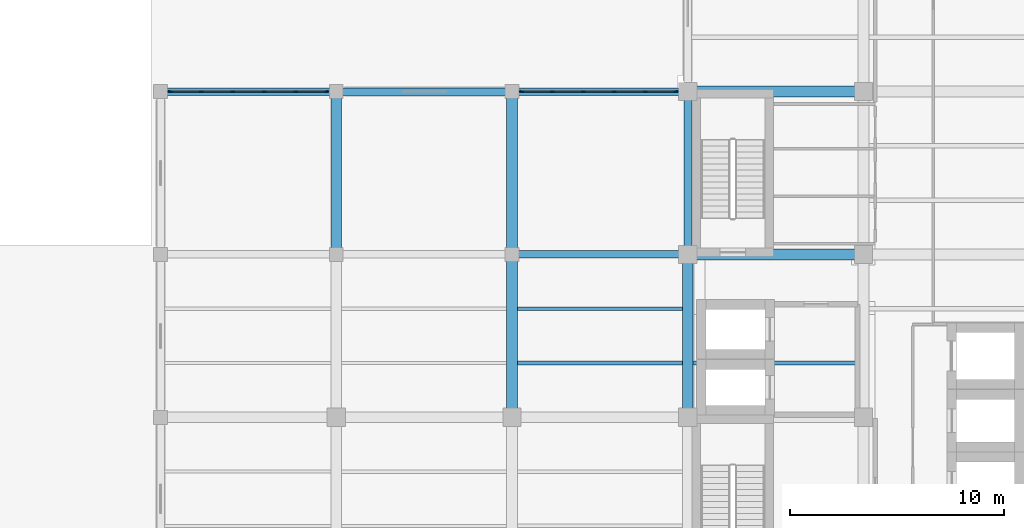
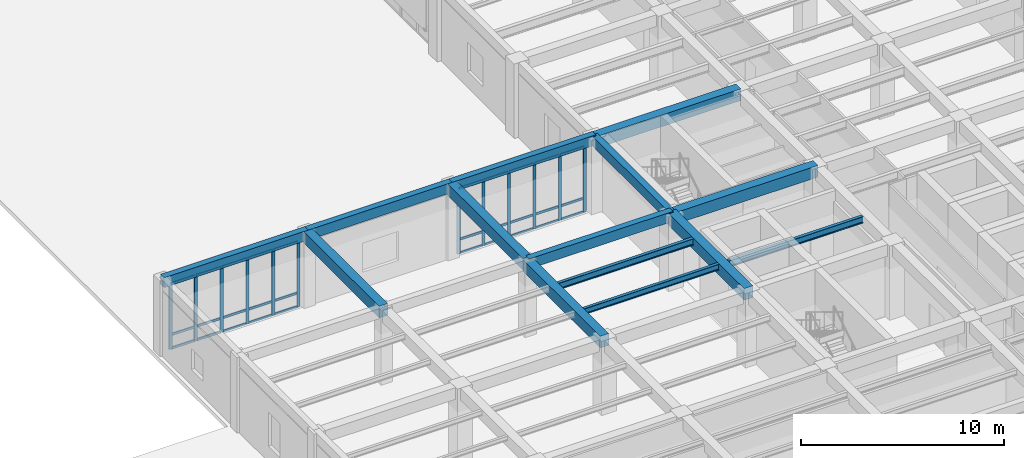
# One storey, part 4 of 23: 42 members, 14 beams, 2 elements without a shape of their own.
"""IFC4 building model written with IfcOpenShell, lengths in metres."""

from ifc_helpers import new_model, si_unit, direction, frame, origin, origin_2d, place, context, subcontext, project, spatial, rectangle, i_section, extrude, material, material_profile, profile_set, type_object, element, aggregate, save


model = new_model("IFC4")

# Units and contexts
model_context = context("Model", 3, precision=1e-05, world=origin(), true_north=direction((0.0, 1.0)))
body_context = subcontext(model_context, "Body", "Model", "MODEL_VIEW")
ifc_project = project(units=[si_unit("LENGTHUNIT", "METRE"), si_unit("AREAUNIT", "SQUARE_METRE"), si_unit("VOLUMEUNIT", "CUBIC_METRE"), si_unit("PLANEANGLEUNIT", "RADIAN"), si_unit("MASSUNIT", "GRAM", prefix="KILO")], contexts=[model_context])

# Site, building, storey
site_placement = place(None, origin())
site = spatial("IfcSite", under=ifc_project, at=site_placement, CompositionType="ELEMENT")
building_placement = place(site_placement, origin())
building = spatial("IfcBuilding", under=site, at=building_placement, Name="Qandaris Square Conservatory and Botanical Centre", CompositionType="ELEMENT")
storey_placement = place(building_placement, frame((0.0, 0.0, 15.0)))
storey = spatial("IfcBuildingStorey", under=building, at=storey_placement, Name="L03", CompositionType="ELEMENT", Elevation=15.0)

# Beams
ifc_material_1 = material(Name="Steel S355", Category="steel")
ifc_material_profile_1 = material_profile(ifc_material_1, i_section(OverallWidth=0.169921875, OverallDepth=0.360107421875, WebThickness=0.008056640625, FlangeThickness=0.0126953125, FilletRadius=0.01806640625, at=origin_2d()), Name="IPE 360")
ifc_profile_set_1 = profile_set([ifc_material_profile_1], Name="Steel S355")
beam_type_1 = type_object("IfcBeamType", Name="Composite Lab Joist IPE 360", PredefinedType="JOIST", material=ifc_profile_set_1)
beam_1_placement = place(storey_placement, frame((131.25, 34.333251953125, 4.2900390625), z_axis=(1.0, 0.0, 0.0), x_axis=(0.0, 1.0, 0.0)))
element("IfcBeam", 1, at=beam_1_placement, inside=storey, type_object=beam_type_1, Name="L03 Composite Joist 1649", PredefinedType="JOIST", context=body_context, shape_type="SweptSolid", body=[
    extrude(i_section(OverallWidth=0.169921875, OverallDepth=0.360107421875, WebThickness=0.008056640625, FlangeThickness=0.0126953125, FilletRadius=0.01806640625, at=origin_2d()), origin(), (0.0, 0.0, 1.0), 7.699951171875),
])
ifc_material_profile_2 = material_profile(ifc_material_1, i_section(OverallWidth=0.179931640625, OverallDepth=0.39990234375, WebThickness=0.008544921875, FlangeThickness=0.013427734375, FilletRadius=0.02099609375, at=origin_2d()), Name="IPE 400")
ifc_profile_set_2 = profile_set([ifc_material_profile_2], Name="Steel S355")
beam_type_2 = type_object("IfcBeamType", Name="Composite Plinth Joist IPE 400", PredefinedType="JOIST", material=ifc_profile_set_2)
for number, where, z_axis, x_axis, name in (
    (2, (131.25, 36.86669921875, 4.27001953125), (1.0, 0.0, 0.0), (0.0, 1.0, 0.0), "L03 Composite Joist 1650"),
    (3, (139.449951171875, 34.333251953125, 4.27001953125), (1.0, 0.0, 0.0), (0.0, 1.0, 0.0), "L03 Composite Joist 1653"),
):
    element("IfcBeam", number, at=place(storey_placement, frame(where, z_axis=z_axis, x_axis=x_axis)), inside=storey, type_object=beam_type_2, Name=name, PredefinedType="JOIST", context=body_context, shape_type="SweptSolid", body=[
        extrude(i_section(OverallWidth=0.179931640625, OverallDepth=0.39990234375, WebThickness=0.008544921875, FlangeThickness=0.013427734375, FilletRadius=0.02099609375, at=origin_2d()), origin(), (0.0, 0.0, 1.0), 7.699951171875),
    ])

# Curtain wall, members
ifc_material_2 = material(Name="Anodised Aluminium", Category="aluminium")
curtain_wall_type_1 = type_object("IfcCurtainWallType", Name="Unitised Curtain Wall CW-4-725x394", PredefinedType="USERDEFINED", material=ifc_material_2)
curtain_wall_1_placement = place(storey_placement, origin())
curtain_wall_1 = element("IfcCurtainWall", 4, at=curtain_wall_1_placement, inside=storey, type_object=curtain_wall_type_1, Name="Curtain Wall CW-TWR-L03-5-1", ObjectType="GLAZED CURTAIN WALL", PredefinedType="USERDEFINED")
ifc_material_profile_3 = material_profile(ifc_material_2, rectangle(XDim=0.06494140625, YDim=0.179931640625, at=origin_2d()), Name="ALU-MUL 65x180")
ifc_profile_set_3 = profile_set([ifc_material_profile_3], Name="Anodised Aluminium")
member_type_1 = type_object("IfcMemberType", Name="Curtain Wall Mullion 65x180", PredefinedType="MULLION", material=ifc_profile_set_3)
member_1_placement = place(storey_placement, frame((138.642578125, 47.0, 0.0), z_axis=(0.0, 0.0, 1.0), x_axis=(0.0, -1.0, 0.0)))
member_1 = element("IfcMember", 5, at=member_1_placement, type_object=member_type_1, Name="CW-4-725x394 mullion 1", PredefinedType="MULLION", context=body_context, shape_type="SweptSolid", body=[
    extrude(rectangle(XDim=0.06494140625, YDim=0.179931640625, at=origin_2d()), origin(), (0.0, 0.0, 1.0), 3.945068359375),
])
member_2_placement = place(storey_placement, frame((137.22509765625, 47.0, 0.0), z_axis=(0.0, 0.0, 1.0), x_axis=(0.0, -1.0, 0.0)))
member_2 = element("IfcMember", 6, at=member_2_placement, type_object=member_type_1, Name="CW-4-725x394 mullion 2", PredefinedType="MULLION", context=body_context, shape_type="SweptSolid", body=[
    extrude(rectangle(XDim=0.06494140625, YDim=0.179931640625, at=origin_2d()), origin(), (0.0, 0.0, 1.0), 3.945068359375),
])
member_3_placement = place(storey_placement, frame((135.77490234375, 47.0, 0.0), z_axis=(0.0, 0.0, 1.0), x_axis=(0.0, -1.0, 0.0)))
member_3 = element("IfcMember", 7, at=member_3_placement, type_object=member_type_1, Name="CW-4-725x394 mullion 3", PredefinedType="MULLION", context=body_context, shape_type="SweptSolid", body=[
    extrude(rectangle(XDim=0.06494140625, YDim=0.179931640625, at=origin_2d()), origin(), (0.0, 0.0, 1.0), 3.945068359375),
])
member_4_placement = place(storey_placement, frame((134.324951171875, 47.0, 0.0), z_axis=(0.0, 0.0, 1.0), x_axis=(0.0, -1.0, 0.0)))
member_4 = element("IfcMember", 8, at=member_4_placement, type_object=member_type_1, Name="CW-4-725x394 mullion 4", PredefinedType="MULLION", context=body_context, shape_type="SweptSolid", body=[
    extrude(rectangle(XDim=0.06494140625, YDim=0.179931640625, at=origin_2d()), origin(), (0.0, 0.0, 1.0), 3.945068359375),
])
member_5_placement = place(storey_placement, frame((132.875, 47.0, 0.0), z_axis=(0.0, 0.0, 1.0), x_axis=(0.0, -1.0, 0.0)))
member_5 = element("IfcMember", 9, at=member_5_placement, type_object=member_type_1, Name="CW-4-725x394 mullion 5", PredefinedType="MULLION", context=body_context, shape_type="SweptSolid", body=[
    extrude(rectangle(XDim=0.06494140625, YDim=0.179931640625, at=origin_2d()), origin(), (0.0, 0.0, 1.0), 3.945068359375),
])
member_6_placement = place(storey_placement, frame((131.45751953125, 47.0, 0.0), z_axis=(0.0, 0.0, 1.0), x_axis=(0.0, -1.0, 0.0)))
member_6 = element("IfcMember", 10, at=member_6_placement, type_object=member_type_1, Name="CW-4-725x394 mullion 6", PredefinedType="MULLION", context=body_context, shape_type="SweptSolid", body=[
    extrude(rectangle(XDim=0.06494140625, YDim=0.179931640625, at=origin_2d()), origin(), (0.0, 0.0, 1.0), 3.945068359375),
])

curtain_wall_type_2 = type_object("IfcCurtainWallType", Name="Unitised Curtain Wall CW-4-735x394", PredefinedType="USERDEFINED", material=ifc_material_2)
curtain_wall_2_placement = place(storey_placement, origin())
curtain_wall_2 = element("IfcCurtainWall", 11, at=curtain_wall_2_placement, inside=storey, type_object=curtain_wall_type_2, Name="Curtain Wall CW-TWR-L03-5-3", ObjectType="GLAZED CURTAIN WALL", PredefinedType="USERDEFINED")
member_7_placement = place(storey_placement, frame((122.342529296875, 47.0, 0.0), z_axis=(0.0, 0.0, 1.0), x_axis=(0.0, -1.0, 0.0)))
member_7 = element("IfcMember", 12, at=member_7_placement, type_object=member_type_1, Name="CW-4-735x394 mullion 1", PredefinedType="MULLION", context=body_context, shape_type="SweptSolid", body=[
    extrude(rectangle(XDim=0.06494140625, YDim=0.179931640625, at=origin_2d()), origin(), (0.0, 0.0, 1.0), 3.945068359375),
])
member_8_placement = place(storey_placement, frame((120.905029296875, 47.0, 0.0), z_axis=(0.0, 0.0, 1.0), x_axis=(0.0, -1.0, 0.0)))
member_8 = element("IfcMember", 13, at=member_8_placement, type_object=member_type_1, Name="CW-4-735x394 mullion 2", PredefinedType="MULLION", context=body_context, shape_type="SweptSolid", body=[
    extrude(rectangle(XDim=0.06494140625, YDim=0.179931640625, at=origin_2d()), origin(), (0.0, 0.0, 1.0), 3.945068359375),
])
member_9_placement = place(storey_placement, frame((119.43505859375, 47.0, 0.0), z_axis=(0.0, 0.0, 1.0), x_axis=(0.0, -1.0, 0.0)))
member_9 = element("IfcMember", 14, at=member_9_placement, type_object=member_type_1, Name="CW-4-735x394 mullion 3", PredefinedType="MULLION", context=body_context, shape_type="SweptSolid", body=[
    extrude(rectangle(XDim=0.06494140625, YDim=0.179931640625, at=origin_2d()), origin(), (0.0, 0.0, 1.0), 3.945068359375),
])
member_10_placement = place(storey_placement, frame((117.965087890625, 47.0, 0.0), z_axis=(0.0, 0.0, 1.0), x_axis=(0.0, -1.0, 0.0)))
member_10 = element("IfcMember", 15, at=member_10_placement, type_object=member_type_1, Name="CW-4-735x394 mullion 4", PredefinedType="MULLION", context=body_context, shape_type="SweptSolid", body=[
    extrude(rectangle(XDim=0.06494140625, YDim=0.179931640625, at=origin_2d()), origin(), (0.0, 0.0, 1.0), 3.945068359375),
])
member_11_placement = place(storey_placement, frame((116.4951171875, 47.0, 0.0), z_axis=(0.0, 0.0, 1.0), x_axis=(0.0, -1.0, 0.0)))
member_11 = element("IfcMember", 16, at=member_11_placement, type_object=member_type_1, Name="CW-4-735x394 mullion 5", PredefinedType="MULLION", context=body_context, shape_type="SweptSolid", body=[
    extrude(rectangle(XDim=0.06494140625, YDim=0.179931640625, at=origin_2d()), origin(), (0.0, 0.0, 1.0), 3.945068359375),
])
member_12_placement = place(storey_placement, frame((115.0576171875, 47.0, 0.0), z_axis=(0.0, 0.0, 1.0), x_axis=(0.0, -1.0, 0.0)))
member_12 = element("IfcMember", 17, at=member_12_placement, type_object=member_type_1, Name="CW-4-735x394 mullion 6", PredefinedType="MULLION", context=body_context, shape_type="SweptSolid", body=[
    extrude(rectangle(XDim=0.06494140625, YDim=0.179931640625, at=origin_2d()), origin(), (0.0, 0.0, 1.0), 3.945068359375),
])

# Member
ifc_material_profile_4 = material_profile(ifc_material_2, rectangle(XDim=0.06494140625, YDim=0.139892578125, at=origin_2d()), Name="ALU-TRN 65x140")
ifc_profile_set_4 = profile_set([ifc_material_profile_4], Name="Anodised Aluminium")
member_type_2 = type_object("IfcMemberType", Name="Curtain Wall Transom 65x140", PredefinedType="USERDEFINED", material=ifc_profile_set_4)
member_13_placement = place(storey_placement, frame((138.610107421875, 47.0, 0.032470703125), z_axis=(-1.0, 0.0, 0.0), x_axis=(0.0, -1.0, 0.0)))
member_13 = element("IfcMember", 18, at=member_13_placement, type_object=member_type_2, Name="CW-4-725x394 transom 1.1", ObjectType="TRANSOM", PredefinedType="USERDEFINED", context=body_context, shape_type="SweptSolid", body=[
    extrude(rectangle(XDim=0.06494140625, YDim=0.139892578125, at=origin_2d()), origin(), (0.0, 0.0, 1.0), 1.3525390625),
])

member_14_placement = place(storey_placement, frame((138.610107421875, 47.0, 0.85009765625), z_axis=(-1.0, 0.0, 0.0), x_axis=(0.0, -1.0, 0.0)))
member_14 = element("IfcMember", 19, at=member_14_placement, type_object=member_type_2, Name="CW-4-725x394 transom 1.2", ObjectType="TRANSOM", PredefinedType="USERDEFINED", context=body_context, shape_type="SweptSolid", body=[
    extrude(rectangle(XDim=0.06494140625, YDim=0.139892578125, at=origin_2d()), origin(), (0.0, 0.0, 1.0), 1.3525390625),
])

member_15_placement = place(storey_placement, frame((138.610107421875, 47.0, 3.91259765625), z_axis=(-1.0, 0.0, 0.0), x_axis=(0.0, -1.0, 0.0)))
member_15 = element("IfcMember", 20, at=member_15_placement, type_object=member_type_2, Name="CW-4-725x394 transom 1.3", ObjectType="TRANSOM", PredefinedType="USERDEFINED", context=body_context, shape_type="SweptSolid", body=[
    extrude(rectangle(XDim=0.06494140625, YDim=0.139892578125, at=origin_2d()), origin(), (0.0, 0.0, 1.0), 1.3525390625),
])

member_16_placement = place(storey_placement, frame((137.1923828125, 47.0, 0.032470703125), z_axis=(-1.0, 0.0, 0.0), x_axis=(0.0, -1.0, 0.0)))
member_16 = element("IfcMember", 21, at=member_16_placement, type_object=member_type_2, Name="CW-4-725x394 transom 2.1", ObjectType="TRANSOM", PredefinedType="USERDEFINED", context=body_context, shape_type="SweptSolid", body=[
    extrude(rectangle(XDim=0.06494140625, YDim=0.139892578125, at=origin_2d()), origin(), (0.0, 0.0, 1.0), 1.384765625),
])

member_17_placement = place(storey_placement, frame((137.1923828125, 47.0, 0.85009765625), z_axis=(-1.0, 0.0, 0.0), x_axis=(0.0, -1.0, 0.0)))
member_17 = element("IfcMember", 22, at=member_17_placement, type_object=member_type_2, Name="CW-4-725x394 transom 2.2", ObjectType="TRANSOM", PredefinedType="USERDEFINED", context=body_context, shape_type="SweptSolid", body=[
    extrude(rectangle(XDim=0.06494140625, YDim=0.139892578125, at=origin_2d()), origin(), (0.0, 0.0, 1.0), 1.384765625),
])

member_18_placement = place(storey_placement, frame((137.1923828125, 47.0, 3.91259765625), z_axis=(-1.0, 0.0, 0.0), x_axis=(0.0, -1.0, 0.0)))
member_18 = element("IfcMember", 23, at=member_18_placement, type_object=member_type_2, Name="CW-4-725x394 transom 2.3", ObjectType="TRANSOM", PredefinedType="USERDEFINED", context=body_context, shape_type="SweptSolid", body=[
    extrude(rectangle(XDim=0.06494140625, YDim=0.139892578125, at=origin_2d()), origin(), (0.0, 0.0, 1.0), 1.384765625),
])

member_19_placement = place(storey_placement, frame((135.742431640625, 47.0, 0.032470703125), z_axis=(-1.0, 0.0, 0.0), x_axis=(0.0, -1.0, 0.0)))
member_19 = element("IfcMember", 24, at=member_19_placement, type_object=member_type_2, Name="CW-4-725x394 transom 3.1", ObjectType="TRANSOM", PredefinedType="USERDEFINED", context=body_context, shape_type="SweptSolid", body=[
    extrude(rectangle(XDim=0.06494140625, YDim=0.139892578125, at=origin_2d()), origin(), (0.0, 0.0, 1.0), 1.385009765625),
])

member_20_placement = place(storey_placement, frame((135.742431640625, 47.0, 0.85009765625), z_axis=(-1.0, 0.0, 0.0), x_axis=(0.0, -1.0, 0.0)))
member_20 = element("IfcMember", 25, at=member_20_placement, type_object=member_type_2, Name="CW-4-725x394 transom 3.2", ObjectType="TRANSOM", PredefinedType="USERDEFINED", context=body_context, shape_type="SweptSolid", body=[
    extrude(rectangle(XDim=0.06494140625, YDim=0.139892578125, at=origin_2d()), origin(), (0.0, 0.0, 1.0), 1.385009765625),
])

member_21_placement = place(storey_placement, frame((135.742431640625, 47.0, 3.91259765625), z_axis=(-1.0, 0.0, 0.0), x_axis=(0.0, -1.0, 0.0)))
member_21 = element("IfcMember", 26, at=member_21_placement, type_object=member_type_2, Name="CW-4-725x394 transom 3.3", ObjectType="TRANSOM", PredefinedType="USERDEFINED", context=body_context, shape_type="SweptSolid", body=[
    extrude(rectangle(XDim=0.06494140625, YDim=0.139892578125, at=origin_2d()), origin(), (0.0, 0.0, 1.0), 1.385009765625),
])

member_22_placement = place(storey_placement, frame((134.29248046875, 47.0, 0.032470703125), z_axis=(-1.0, 0.0, 0.0), x_axis=(0.0, -1.0, 0.0)))
member_22 = element("IfcMember", 27, at=member_22_placement, type_object=member_type_2, Name="CW-4-725x394 transom 4.1", ObjectType="TRANSOM", PredefinedType="USERDEFINED", context=body_context, shape_type="SweptSolid", body=[
    extrude(rectangle(XDim=0.06494140625, YDim=0.139892578125, at=origin_2d()), origin(), (0.0, 0.0, 1.0), 1.385009765625),
])

member_23_placement = place(storey_placement, frame((134.29248046875, 47.0, 0.85009765625), z_axis=(-1.0, 0.0, 0.0), x_axis=(0.0, -1.0, 0.0)))
member_23 = element("IfcMember", 28, at=member_23_placement, type_object=member_type_2, Name="CW-4-725x394 transom 4.2", ObjectType="TRANSOM", PredefinedType="USERDEFINED", context=body_context, shape_type="SweptSolid", body=[
    extrude(rectangle(XDim=0.06494140625, YDim=0.139892578125, at=origin_2d()), origin(), (0.0, 0.0, 1.0), 1.385009765625),
])

member_24_placement = place(storey_placement, frame((134.29248046875, 47.0, 3.91259765625), z_axis=(-1.0, 0.0, 0.0), x_axis=(0.0, -1.0, 0.0)))
member_24 = element("IfcMember", 29, at=member_24_placement, type_object=member_type_2, Name="CW-4-725x394 transom 4.3", ObjectType="TRANSOM", PredefinedType="USERDEFINED", context=body_context, shape_type="SweptSolid", body=[
    extrude(rectangle(XDim=0.06494140625, YDim=0.139892578125, at=origin_2d()), origin(), (0.0, 0.0, 1.0), 1.385009765625),
])

member_25_placement = place(storey_placement, frame((132.842529296875, 47.0, 0.032470703125), z_axis=(-1.0, 0.0, 0.0), x_axis=(0.0, -1.0, 0.0)))
member_25 = element("IfcMember", 30, at=member_25_placement, type_object=member_type_2, Name="CW-4-725x394 transom 5.1", ObjectType="TRANSOM", PredefinedType="USERDEFINED", context=body_context, shape_type="SweptSolid", body=[
    extrude(rectangle(XDim=0.06494140625, YDim=0.139892578125, at=origin_2d()), origin(), (0.0, 0.0, 1.0), 1.3525390625),
])

member_26_placement = place(storey_placement, frame((132.842529296875, 47.0, 0.85009765625), z_axis=(-1.0, 0.0, 0.0), x_axis=(0.0, -1.0, 0.0)))
member_26 = element("IfcMember", 31, at=member_26_placement, type_object=member_type_2, Name="CW-4-725x394 transom 5.2", ObjectType="TRANSOM", PredefinedType="USERDEFINED", context=body_context, shape_type="SweptSolid", body=[
    extrude(rectangle(XDim=0.06494140625, YDim=0.139892578125, at=origin_2d()), origin(), (0.0, 0.0, 1.0), 1.3525390625),
])

member_27_placement = place(storey_placement, frame((132.842529296875, 47.0, 3.91259765625), z_axis=(-1.0, 0.0, 0.0), x_axis=(0.0, -1.0, 0.0)))
member_27 = element("IfcMember", 32, at=member_27_placement, type_object=member_type_2, Name="CW-4-725x394 transom 5.3", ObjectType="TRANSOM", PredefinedType="USERDEFINED", context=body_context, shape_type="SweptSolid", body=[
    extrude(rectangle(XDim=0.06494140625, YDim=0.139892578125, at=origin_2d()), origin(), (0.0, 0.0, 1.0), 1.3525390625),
])

aggregate(curtain_wall_1, [member_1, member_2, member_3, member_4, member_5, member_6, member_13, member_14, member_15, member_16, member_17, member_18, member_19, member_20, member_21, member_22, member_23, member_24, member_25, member_26, member_27])

member_28_placement = place(storey_placement, frame((122.31005859375, 47.0, 0.032470703125), z_axis=(-1.0, 0.0, 0.0), x_axis=(0.0, -1.0, 0.0)))
member_28 = element("IfcMember", 33, at=member_28_placement, type_object=member_type_2, Name="CW-4-735x394 transom 1.1", ObjectType="TRANSOM", PredefinedType="USERDEFINED", context=body_context, shape_type="SweptSolid", body=[
    extrude(rectangle(XDim=0.06494140625, YDim=0.139892578125, at=origin_2d()), origin(), (0.0, 0.0, 1.0), 1.37255859375),
])

member_29_placement = place(storey_placement, frame((122.31005859375, 47.0, 0.85009765625), z_axis=(-1.0, 0.0, 0.0), x_axis=(0.0, -1.0, 0.0)))
member_29 = element("IfcMember", 34, at=member_29_placement, type_object=member_type_2, Name="CW-4-735x394 transom 1.2", ObjectType="TRANSOM", PredefinedType="USERDEFINED", context=body_context, shape_type="SweptSolid", body=[
    extrude(rectangle(XDim=0.06494140625, YDim=0.139892578125, at=origin_2d()), origin(), (0.0, 0.0, 1.0), 1.37255859375),
])

member_30_placement = place(storey_placement, frame((122.31005859375, 47.0, 3.91259765625), z_axis=(-1.0, 0.0, 0.0), x_axis=(0.0, -1.0, 0.0)))
member_30 = element("IfcMember", 35, at=member_30_placement, type_object=member_type_2, Name="CW-4-735x394 transom 1.3", ObjectType="TRANSOM", PredefinedType="USERDEFINED", context=body_context, shape_type="SweptSolid", body=[
    extrude(rectangle(XDim=0.06494140625, YDim=0.139892578125, at=origin_2d()), origin(), (0.0, 0.0, 1.0), 1.37255859375),
])

member_31_placement = place(storey_placement, frame((120.87255859375, 47.0, 0.032470703125), z_axis=(-1.0, 0.0, 0.0), x_axis=(0.0, -1.0, 0.0)))
member_31 = element("IfcMember", 36, at=member_31_placement, type_object=member_type_2, Name="CW-4-735x394 transom 2.1", ObjectType="TRANSOM", PredefinedType="USERDEFINED", context=body_context, shape_type="SweptSolid", body=[
    extrude(rectangle(XDim=0.06494140625, YDim=0.139892578125, at=origin_2d()), origin(), (0.0, 0.0, 1.0), 1.405029296875),
])

member_32_placement = place(storey_placement, frame((120.87255859375, 47.0, 0.85009765625), z_axis=(-1.0, 0.0, 0.0), x_axis=(0.0, -1.0, 0.0)))
member_32 = element("IfcMember", 37, at=member_32_placement, type_object=member_type_2, Name="CW-4-735x394 transom 2.2", ObjectType="TRANSOM", PredefinedType="USERDEFINED", context=body_context, shape_type="SweptSolid", body=[
    extrude(rectangle(XDim=0.06494140625, YDim=0.139892578125, at=origin_2d()), origin(), (0.0, 0.0, 1.0), 1.405029296875),
])

member_33_placement = place(storey_placement, frame((120.87255859375, 47.0, 3.91259765625), z_axis=(-1.0, 0.0, 0.0), x_axis=(0.0, -1.0, 0.0)))
member_33 = element("IfcMember", 38, at=member_33_placement, type_object=member_type_2, Name="CW-4-735x394 transom 2.3", ObjectType="TRANSOM", PredefinedType="USERDEFINED", context=body_context, shape_type="SweptSolid", body=[
    extrude(rectangle(XDim=0.06494140625, YDim=0.139892578125, at=origin_2d()), origin(), (0.0, 0.0, 1.0), 1.405029296875),
])

member_34_placement = place(storey_placement, frame((119.402587890625, 47.0, 0.032470703125), z_axis=(-1.0, 0.0, 0.0), x_axis=(0.0, -1.0, 0.0)))
member_34 = element("IfcMember", 39, at=member_34_placement, type_object=member_type_2, Name="CW-4-735x394 transom 3.1", ObjectType="TRANSOM", PredefinedType="USERDEFINED", context=body_context, shape_type="SweptSolid", body=[
    extrude(rectangle(XDim=0.06494140625, YDim=0.139892578125, at=origin_2d()), origin(), (0.0, 0.0, 1.0), 1.405029296875),
])

member_35_placement = place(storey_placement, frame((119.402587890625, 47.0, 0.85009765625), z_axis=(-1.0, 0.0, 0.0), x_axis=(0.0, -1.0, 0.0)))
member_35 = element("IfcMember", 40, at=member_35_placement, type_object=member_type_2, Name="CW-4-735x394 transom 3.2", ObjectType="TRANSOM", PredefinedType="USERDEFINED", context=body_context, shape_type="SweptSolid", body=[
    extrude(rectangle(XDim=0.06494140625, YDim=0.139892578125, at=origin_2d()), origin(), (0.0, 0.0, 1.0), 1.405029296875),
])

member_36_placement = place(storey_placement, frame((119.402587890625, 47.0, 3.91259765625), z_axis=(-1.0, 0.0, 0.0), x_axis=(0.0, -1.0, 0.0)))
member_36 = element("IfcMember", 41, at=member_36_placement, type_object=member_type_2, Name="CW-4-735x394 transom 3.3", ObjectType="TRANSOM", PredefinedType="USERDEFINED", context=body_context, shape_type="SweptSolid", body=[
    extrude(rectangle(XDim=0.06494140625, YDim=0.139892578125, at=origin_2d()), origin(), (0.0, 0.0, 1.0), 1.405029296875),
])

member_37_placement = place(storey_placement, frame((117.9326171875, 47.0, 0.032470703125), z_axis=(-1.0, 0.0, 0.0), x_axis=(0.0, -1.0, 0.0)))
member_37 = element("IfcMember", 42, at=member_37_placement, type_object=member_type_2, Name="CW-4-735x394 transom 4.1", ObjectType="TRANSOM", PredefinedType="USERDEFINED", context=body_context, shape_type="SweptSolid", body=[
    extrude(rectangle(XDim=0.06494140625, YDim=0.139892578125, at=origin_2d()), origin(), (0.0, 0.0, 1.0), 1.405029296875),
])

member_38_placement = place(storey_placement, frame((117.9326171875, 47.0, 0.85009765625), z_axis=(-1.0, 0.0, 0.0), x_axis=(0.0, -1.0, 0.0)))
member_38 = element("IfcMember", 43, at=member_38_placement, type_object=member_type_2, Name="CW-4-735x394 transom 4.2", ObjectType="TRANSOM", PredefinedType="USERDEFINED", context=body_context, shape_type="SweptSolid", body=[
    extrude(rectangle(XDim=0.06494140625, YDim=0.139892578125, at=origin_2d()), origin(), (0.0, 0.0, 1.0), 1.405029296875),
])

member_39_placement = place(storey_placement, frame((117.9326171875, 47.0, 3.91259765625), z_axis=(-1.0, 0.0, 0.0), x_axis=(0.0, -1.0, 0.0)))
member_39 = element("IfcMember", 44, at=member_39_placement, type_object=member_type_2, Name="CW-4-735x394 transom 4.3", ObjectType="TRANSOM", PredefinedType="USERDEFINED", context=body_context, shape_type="SweptSolid", body=[
    extrude(rectangle(XDim=0.06494140625, YDim=0.139892578125, at=origin_2d()), origin(), (0.0, 0.0, 1.0), 1.405029296875),
])

member_40_placement = place(storey_placement, frame((116.46240234375, 47.0, 0.032470703125), z_axis=(-1.0, 0.0, 0.0), x_axis=(0.0, -1.0, 0.0)))
member_40 = element("IfcMember", 45, at=member_40_placement, type_object=member_type_2, Name="CW-4-735x394 transom 5.1", ObjectType="TRANSOM", PredefinedType="USERDEFINED", context=body_context, shape_type="SweptSolid", body=[
    extrude(rectangle(XDim=0.06494140625, YDim=0.139892578125, at=origin_2d()), origin(), (0.0, 0.0, 1.0), 1.372314453125),
])

member_41_placement = place(storey_placement, frame((116.46240234375, 47.0, 0.85009765625), z_axis=(-1.0, 0.0, 0.0), x_axis=(0.0, -1.0, 0.0)))
member_41 = element("IfcMember", 46, at=member_41_placement, type_object=member_type_2, Name="CW-4-735x394 transom 5.2", ObjectType="TRANSOM", PredefinedType="USERDEFINED", context=body_context, shape_type="SweptSolid", body=[
    extrude(rectangle(XDim=0.06494140625, YDim=0.139892578125, at=origin_2d()), origin(), (0.0, 0.0, 1.0), 1.372314453125),
])

member_42_placement = place(storey_placement, frame((116.46240234375, 47.0, 3.91259765625), z_axis=(-1.0, 0.0, 0.0), x_axis=(0.0, -1.0, 0.0)))
member_42 = element("IfcMember", 47, at=member_42_placement, type_object=member_type_2, Name="CW-4-735x394 transom 5.3", ObjectType="TRANSOM", PredefinedType="USERDEFINED", context=body_context, shape_type="SweptSolid", body=[
    extrude(rectangle(XDim=0.06494140625, YDim=0.139892578125, at=origin_2d()), origin(), (0.0, 0.0, 1.0), 1.372314453125),
])

aggregate(curtain_wall_2, [member_7, member_8, member_9, member_10, member_11, member_12, member_28, member_29, member_30, member_31, member_32, member_33, member_34, member_35, member_36, member_37, member_38, member_39, member_40, member_41, member_42])

# Beams
ifc_material_3 = material(Name="Concrete C50/60", Category="concrete")
ifc_material_profile_5 = material_profile(ifc_material_3, rectangle(XDim=0.35009765625, YDim=0.60009765625, at=origin_2d()), Name="RC-SP 350x600")
ifc_profile_set_5 = profile_set([ifc_material_profile_5], Name="Concrete C50/60")
beam_type_3 = type_object("IfcBeamType", Name="RC Edge Spandrel Beam 350x600", PredefinedType="SPANDREL", material=ifc_profile_set_5)
for number, where, z_axis, x_axis, name in (
    (48, (131.0, 39.39990234375, 4.2451171875), (1.0, 0.0, 0.0), (0.0, 1.0, 0.0), "L03 Frame Beam 1554"),
    (49, (114.60009765625, 47.0, 4.2451171875), (1.0, 0.0, 0.0), (0.0, 1.0, 0.0), "L03 Frame Beam 1558"),
    (50, (122.800048828125, 47.0, 4.2451171875), (1.0, 0.0, 0.0), (0.0, 1.0, 0.0), "L03 Frame Beam 1559"),
    (51, (131.0, 47.0, 4.2451171875), (1.0, 0.0, 0.0), (0.0, 1.0, 0.0), "L03 Frame Beam 1560"),
):
    element("IfcBeam", number, at=place(storey_placement, frame(where, z_axis=z_axis, x_axis=x_axis)), inside=storey, type_object=beam_type_3, Name=name, PredefinedType="SPANDREL", context=body_context, shape_type="SweptSolid", body=[
        extrude(rectangle(XDim=0.35009765625, YDim=0.60009765625, at=origin_2d()), origin(), (0.0, 0.0, 1.0), 8.199951171875),
    ])
beam_2_placement = place(storey_placement, frame((139.199951171875, 39.39990234375, 4.179931640625), z_axis=(0.0, 1.0, 0.0), x_axis=(-1.0, 0.0, 0.0)))
element("IfcBeam", 52, at=beam_2_placement, inside=storey, type_object=beam_type_3, Name="L03 Frame Beam 1596", PredefinedType="SPANDREL", context=body_context, shape_type="SweptSolid", body=[
    extrude(rectangle(XDim=0.35009765625, YDim=0.60009765625, at=origin_2d()), origin(), (0.0, 0.0, 1.0), 7.60009765625),
])
ifc_material_profile_6 = material_profile(ifc_material_3, rectangle(XDim=0.5, YDim=0.699951171875, at=origin_2d()), Name="RC-BM 500x700")
ifc_profile_set_6 = profile_set([ifc_material_profile_6], Name="Concrete C50/60")
beam_type_4 = type_object("IfcBeamType", Name="RC Floor Girder 500x700", PredefinedType="BEAM", material=ifc_profile_set_6)
for number, where, z_axis, x_axis, name in (
    (53, (139.199951171875, 39.39990234375, 4.1298828125), (1.0, 0.0, 0.0), (0.0, 1.0, 0.0), "L03 Frame Beam 1555"),
    (54, (139.199951171875, 47.0, 4.1298828125), (1.0, 0.0, 0.0), (0.0, 1.0, 0.0), "L03 Frame Beam 1561"),
):
    element("IfcBeam", number, at=place(storey_placement, frame(where, z_axis=z_axis, x_axis=x_axis)), inside=storey, type_object=beam_type_4, Name=name, PredefinedType="BEAM", context=body_context, shape_type="SweptSolid", body=[
        extrude(rectangle(XDim=0.5, YDim=0.699951171875, at=origin_2d()), origin(), (0.0, 0.0, 1.0), 8.199951171875),
    ])
beam_3_placement = place(storey_placement, frame((122.800048828125, 39.39990234375, 4.195068359375), z_axis=(0.0, 1.0, 0.0), x_axis=(-1.0, 0.0, 0.0)))
element("IfcBeam", 55, at=beam_3_placement, inside=storey, type_object=beam_type_4, Name="L03 Frame Beam 1588", PredefinedType="BEAM", context=body_context, shape_type="SweptSolid", body=[
    extrude(rectangle(XDim=0.5, YDim=0.699951171875, at=origin_2d()), origin(), (0.0, 0.0, 1.0), 7.60009765625),
])
beam_4_placement = place(storey_placement, frame((131.0, 31.800048828125, 4.1298828125), z_axis=(0.0, 1.0, 0.0), x_axis=(-1.0, 0.0, 0.0)))
element("IfcBeam", 56, at=beam_4_placement, inside=storey, type_object=beam_type_4, Name="L03 Frame Beam 1591", PredefinedType="BEAM", context=body_context, shape_type="SweptSolid", body=[
    extrude(rectangle(XDim=0.5, YDim=0.699951171875, at=origin_2d()), origin(), (0.0, 0.0, 1.0), 7.599853515625),
])
beam_5_placement = place(storey_placement, frame((131.0, 39.39990234375, 4.195068359375), z_axis=(0.0, 1.0, 0.0), x_axis=(-1.0, 0.0, 0.0)))
element("IfcBeam", 57, at=beam_5_placement, inside=storey, type_object=beam_type_4, Name="L03 Frame Beam 1592", PredefinedType="BEAM", context=body_context, shape_type="SweptSolid", body=[
    extrude(rectangle(XDim=0.5, YDim=0.699951171875, at=origin_2d()), origin(), (0.0, 0.0, 1.0), 7.60009765625),
])
beam_6_placement = place(storey_placement, frame((139.199951171875, 31.800048828125, 4.1298828125), z_axis=(0.0, 1.0, 0.0), x_axis=(-1.0, 0.0, 0.0)))
element("IfcBeam", 58, at=beam_6_placement, inside=storey, type_object=beam_type_4, Name="L03 Frame Beam 1595", PredefinedType="BEAM", context=body_context, shape_type="SweptSolid", body=[
    extrude(rectangle(XDim=0.5, YDim=0.699951171875, at=origin_2d()), origin(), (0.0, 0.0, 1.0), 7.599853515625),
])

save(model, "model.ifc")
